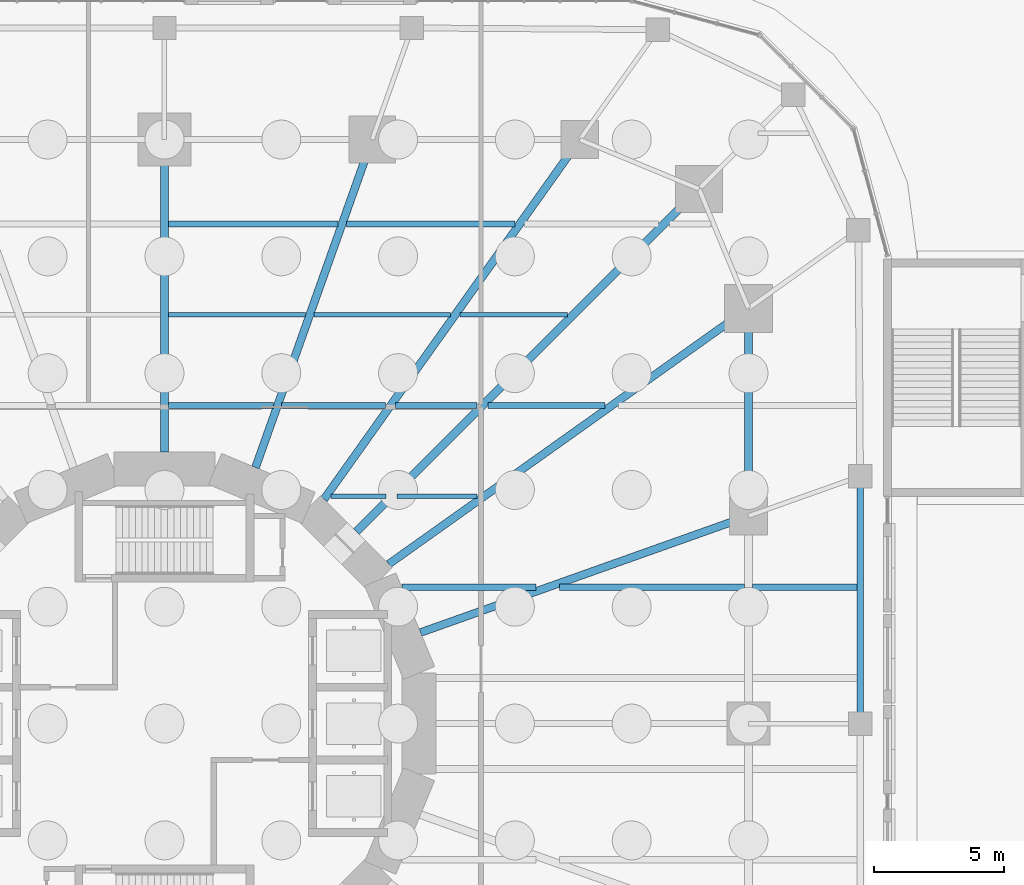
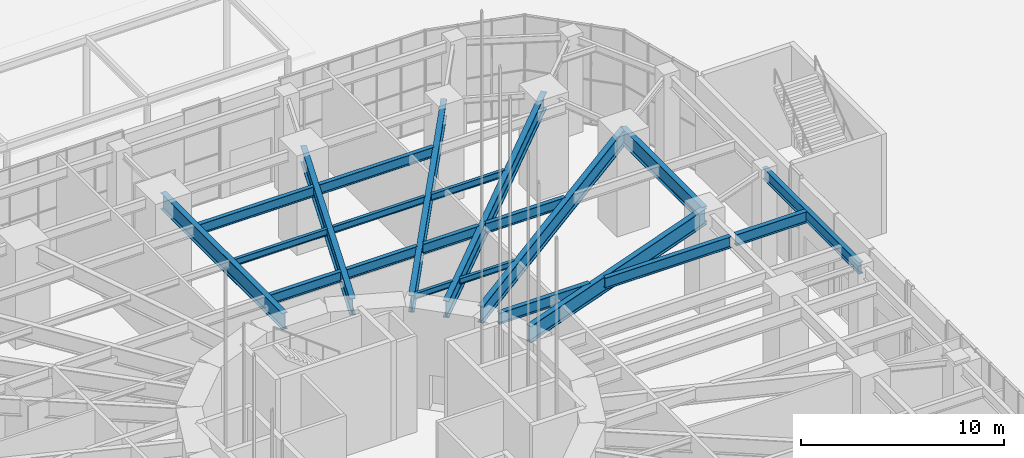
# One storey, part 15 of 43: 22 beams.
"""IFC4 building model written with IfcOpenShell, lengths in metres."""

from ifc_helpers import new_model, si_unit, direction, frame, origin, origin_2d, place, context, subcontext, project, spatial, i_section, extrude, material, material_profile, profile_set, type_object, element, save


model = new_model("IFC4")

# Units and contexts
model_context = context("Model", 3, precision=1e-05, world=origin(), true_north=direction((0.0, 1.0)))
body_context = subcontext(model_context, "Body", "Model", "MODEL_VIEW")
ifc_project = project(units=[si_unit("LENGTHUNIT", "METRE"), si_unit("AREAUNIT", "SQUARE_METRE"), si_unit("VOLUMEUNIT", "CUBIC_METRE"), si_unit("PLANEANGLEUNIT", "RADIAN"), si_unit("MASSUNIT", "GRAM", prefix="KILO")], contexts=[model_context])

# Site, building, storey
site_placement = place(None, origin())
site = spatial("IfcSite", under=ifc_project, at=site_placement, CompositionType="ELEMENT")
building_placement = place(site_placement, origin())
building = spatial("IfcBuilding", under=site, at=building_placement, Name="Nakasero Lantern House", CompositionType="ELEMENT")
storey_placement = place(building_placement, origin())
storey = spatial("IfcBuildingStorey", under=building, at=storey_placement, Name="L00", CompositionType="ELEMENT", Elevation=0.0)

# Beams
ifc_material_1 = material(Name="Steel S355", Category="steel")
ifc_material_profile_1 = material_profile(ifc_material_1, i_section(OverallWidth=0.17138671875, OverallDepth=0.35498046875, WebThickness=0.00732421875, FlangeThickness=0.011474609375, FilletRadius=0.01025390625, at=origin_2d()), Name="UB 356x171x51")
ifc_profile_set_1 = profile_set([ifc_material_profile_1], Name="Steel S355")
beam_type_1 = type_object("IfcBeamType", Name="Infill beam UB 356x171x51", PredefinedType="JOIST", material=ifc_profile_set_1)
beam_1_placement = place(storey_placement, frame((6.40966796875, 8.75, 5.62255859375), z_axis=(1.0, 0.0, 0.0), x_axis=(0.0, 1.0, 0.0)))
element("IfcBeam", 1, at=beam_1_placement, inside=storey, type_object=beam_type_1, Name="Infill beam L01 11.3", PredefinedType="JOIST", context=body_context, shape_type="SweptSolid", body=[
    extrude(i_section(OverallWidth=0.17138671875, OverallDepth=0.35498046875, WebThickness=0.00732421875, FlangeThickness=0.011474609375, FilletRadius=0.01025390625, at=origin_2d()), origin(), (0.0, 0.0, 1.0), 2.124267578125),
])
beam_2_placement = place(storey_placement, frame((8.966064453125, 8.75, 5.62255859375), z_axis=(1.0, 0.0, 0.0), x_axis=(0.0, 1.0, 0.0)))
element("IfcBeam", 2, at=beam_2_placement, inside=storey, type_object=beam_type_1, Name="Infill beam L01 11.4", PredefinedType="JOIST", context=body_context, shape_type="SweptSolid", body=[
    extrude(i_section(OverallWidth=0.17138671875, OverallDepth=0.35498046875, WebThickness=0.00732421875, FlangeThickness=0.011474609375, FilletRadius=0.01025390625, at=origin_2d()), origin(), (0.0, 0.0, 1.0), 3.0771484375),
])
ifc_material_2 = material(Name="Steel S355", Category="steel")
ifc_material_profile_2 = material_profile(ifc_material_2, i_section(OverallWidth=0.177978515625, OverallDepth=0.406494140625, WebThickness=0.0078125, FlangeThickness=0.0126953125, FilletRadius=0.01025390625, at=origin_2d()), Name="UB 406x178x60")
ifc_profile_set_2 = profile_set([ifc_material_profile_2], Name="Steel S355")
beam_type_2 = type_object("IfcBeamType", Name="Infill beam UB 406x178x60", PredefinedType="JOIST", material=ifc_profile_set_2)
beam_3_placement = place(storey_placement, frame((0.14990234375, 15.75, 5.5966796875), z_axis=(1.0, 0.0, 0.0), x_axis=(0.0, 1.0, 0.0)))
element("IfcBeam", 3, at=beam_3_placement, inside=storey, type_object=beam_type_2, Name="Infill beam L01 13.4", PredefinedType="JOIST", context=body_context, shape_type="SweptSolid", body=[
    extrude(i_section(OverallWidth=0.177978515625, OverallDepth=0.406494140625, WebThickness=0.0078125, FlangeThickness=0.0126953125, FilletRadius=0.01025390625, at=origin_2d()), origin(), (0.0, 0.0, 1.0), 5.289794921875),
])
beam_4_placement = place(storey_placement, frame((5.76025390625, 15.75, 5.5966796875), z_axis=(1.0, 0.0, 0.0), x_axis=(0.0, 1.0, 0.0)))
element("IfcBeam", 4, at=beam_4_placement, inside=storey, type_object=beam_type_2, Name="Infill beam L01 13.5", PredefinedType="JOIST", context=body_context, shape_type="SweptSolid", body=[
    extrude(i_section(OverallWidth=0.177978515625, OverallDepth=0.406494140625, WebThickness=0.0078125, FlangeThickness=0.0126953125, FilletRadius=0.01025390625, at=origin_2d()), origin(), (0.0, 0.0, 1.0), 5.25244140625),
])
beam_5_placement = place(storey_placement, frame((11.387451171875, 15.75, 5.5966796875), z_axis=(1.0, 0.0, 0.0), x_axis=(0.0, 1.0, 0.0)))
element("IfcBeam", 5, at=beam_5_placement, inside=storey, type_object=beam_type_2, Name="Infill beam L01 13.6", PredefinedType="JOIST", context=body_context, shape_type="SweptSolid", body=[
    extrude(i_section(OverallWidth=0.177978515625, OverallDepth=0.406494140625, WebThickness=0.0078125, FlangeThickness=0.0126953125, FilletRadius=0.01025390625, at=origin_2d()), origin(), (0.0, 0.0, 1.0), 4.146484375),
])
ifc_material_3 = material(Name="Steel S355", Category="steel")
ifc_material_profile_3 = material_profile(ifc_material_3, i_section(OverallWidth=0.22900390625, OverallDepth=0.6123046875, WebThickness=0.011962890625, FlangeThickness=0.01953125, FilletRadius=0.0126953125, at=origin_2d()), Name="UB 610x229x125")
ifc_profile_set_3 = profile_set([ifc_material_profile_3], Name="Steel S355")
beam_type_3 = type_object("IfcBeamType", Name="Infill beam UB 610x229x125", PredefinedType="JOIST", material=ifc_profile_set_3)
beam_6_placement = place(storey_placement, frame((0.14990234375, 12.25, 5.493896484375), z_axis=(1.0, 0.0, 0.0), x_axis=(0.0, 1.0, 0.0)))
element("IfcBeam", 6, at=beam_6_placement, inside=storey, type_object=beam_type_3, Name="Infill beam L01 12.7", PredefinedType="JOIST", context=body_context, shape_type="SweptSolid", body=[
    extrude(i_section(OverallWidth=0.22900390625, OverallDepth=0.6123046875, WebThickness=0.011962890625, FlangeThickness=0.01953125, FilletRadius=0.0126953125, at=origin_2d()), origin(), (0.0, 0.0, 1.0), 4.04541015625),
])
beam_7_placement = place(storey_placement, frame((4.515869140625, 12.25, 5.493896484375), z_axis=(1.0, 0.0, 0.0), x_axis=(0.0, 1.0, 0.0)))
element("IfcBeam", 7, at=beam_7_placement, inside=storey, type_object=beam_type_3, Name="Infill beam L01 12.8", PredefinedType="JOIST", context=body_context, shape_type="SweptSolid", body=[
    extrude(i_section(OverallWidth=0.22900390625, OverallDepth=0.6123046875, WebThickness=0.011962890625, FlangeThickness=0.01953125, FilletRadius=0.0126953125, at=origin_2d()), origin(), (0.0, 0.0, 1.0), 4.0078125),
])
beam_8_placement = place(storey_placement, frame((8.8984375, 12.25, 5.493896484375), z_axis=(1.0, 0.0, 0.0), x_axis=(0.0, 1.0, 0.0)))
element("IfcBeam", 8, at=beam_8_placement, inside=storey, type_object=beam_type_3, Name="Infill beam L01 12.9", PredefinedType="JOIST", context=body_context, shape_type="SweptSolid", body=[
    extrude(i_section(OverallWidth=0.22900390625, OverallDepth=0.6123046875, WebThickness=0.011962890625, FlangeThickness=0.01953125, FilletRadius=0.0126953125, at=origin_2d()), origin(), (0.0, 0.0, 1.0), 3.135498046875),
])
beam_9_placement = place(storey_placement, frame((12.466064453125, 12.25, 5.493896484375), z_axis=(1.0, 0.0, 0.0), x_axis=(0.0, 1.0, 0.0)))
element("IfcBeam", 9, at=beam_9_placement, inside=storey, type_object=beam_type_3, Name="Infill beam L01 12.10", PredefinedType="JOIST", context=body_context, shape_type="SweptSolid", body=[
    extrude(i_section(OverallWidth=0.22900390625, OverallDepth=0.6123046875, WebThickness=0.011962890625, FlangeThickness=0.01953125, FilletRadius=0.0126953125, at=origin_2d()), origin(), (0.0, 0.0, 1.0), 4.4990234375),
])
beam_10_placement = place(storey_placement, frame((0.14990234375, 19.25, 5.493896484375), z_axis=(1.0, 0.0, 0.0), x_axis=(0.0, 1.0, 0.0)))
element("IfcBeam", 10, at=beam_10_placement, inside=storey, type_object=beam_type_3, Name="Infill beam L01 14.5", PredefinedType="JOIST", context=body_context, shape_type="SweptSolid", body=[
    extrude(i_section(OverallWidth=0.22900390625, OverallDepth=0.6123046875, WebThickness=0.011962890625, FlangeThickness=0.01953125, FilletRadius=0.0126953125, at=origin_2d()), origin(), (0.0, 0.0, 1.0), 6.5341796875),
])
beam_11_placement = place(storey_placement, frame((7.004638671875, 19.25, 5.493896484375), z_axis=(1.0, 0.0, 0.0), x_axis=(0.0, 1.0, 0.0)))
element("IfcBeam", 11, at=beam_11_placement, inside=storey, type_object=beam_type_3, Name="Infill beam L01 14.6", PredefinedType="JOIST", context=body_context, shape_type="SweptSolid", body=[
    extrude(i_section(OverallWidth=0.22900390625, OverallDepth=0.6123046875, WebThickness=0.011962890625, FlangeThickness=0.01953125, FilletRadius=0.0126953125, at=origin_2d()), origin(), (0.0, 0.0, 1.0), 6.496826171875),
])
ifc_material_4 = material(Name="Steel S355", Category="steel")
ifc_material_profile_4 = material_profile(ifc_material_4, i_section(OverallWidth=0.253662109375, OverallDepth=0.68359375, WebThickness=0.012451171875, FlangeThickness=0.01904296875, FilletRadius=0.01513671875, at=origin_2d()), Name="UB 686x254x140")
ifc_profile_set_4 = profile_set([ifc_material_profile_4], Name="Steel S355")
beam_type_4 = type_object("IfcBeamType", Name="Infill beam UB 686x254x140", PredefinedType="JOIST", material=ifc_profile_set_4)
beam_12_placement = place(storey_placement, frame((9.144775390625, 5.25, 5.458251953125), z_axis=(1.0, 0.0, 0.0), x_axis=(0.0, 1.0, 0.0)))
element("IfcBeam", 12, at=beam_12_placement, inside=storey, type_object=beam_type_4, Name="Infill beam L01 10.4", PredefinedType="JOIST", context=body_context, shape_type="SweptSolid", body=[
    extrude(i_section(OverallWidth=0.253662109375, OverallDepth=0.68359375, WebThickness=0.012451171875, FlangeThickness=0.01904296875, FilletRadius=0.01513671875, at=origin_2d()), origin(), (0.0, 0.0, 1.0), 5.173095703125),
])
beam_13_placement = place(storey_placement, frame((15.21337890625, 5.25, 5.458251953125), z_axis=(1.0, 0.0, 0.0), x_axis=(0.0, 1.0, 0.0)))
element("IfcBeam", 13, at=beam_13_placement, inside=storey, type_object=beam_type_4, Name="Infill beam L01 10.5", PredefinedType="JOIST", context=body_context, shape_type="SweptSolid", body=[
    extrude(i_section(OverallWidth=0.253662109375, OverallDepth=0.68359375, WebThickness=0.012451171875, FlangeThickness=0.01904296875, FilletRadius=0.01513671875, at=origin_2d()), origin(), (0.0, 0.0, 1.0), 7.140380859375),
])
beam_14_placement = place(storey_placement, frame((22.646240234375, 5.25, 5.458251953125), z_axis=(1.0, 0.0, 0.0), x_axis=(0.0, 1.0, 0.0)))
element("IfcBeam", 14, at=beam_14_placement, inside=storey, type_object=beam_type_4, Name="Infill beam L01 10.6", PredefinedType="JOIST", context=body_context, shape_type="SweptSolid", body=[
    extrude(i_section(OverallWidth=0.253662109375, OverallDepth=0.68359375, WebThickness=0.012451171875, FlangeThickness=0.01904296875, FilletRadius=0.01513671875, at=origin_2d()), origin(), (0.0, 0.0, 1.0), 4.02587890625),
])
ifc_material_5 = material(Name="Steel S355", Category="steel")
ifc_material_profile_5 = material_profile(ifc_material_5, i_section(OverallWidth=0.300048828125, OverallDepth=0.989990234375, WebThickness=0.0166015625, FlangeThickness=0.031005859375, FilletRadius=0.030029296875, at=origin_2d()), Name="UB 1016x305x272")
ifc_profile_set_5 = profile_set([ifc_material_profile_5], Name="Steel S355")
beam_type_5 = type_object("IfcBeamType", Name="Primary beam UB 1016x305x272, span 12 to 15 m", PredefinedType="BEAM", material=ifc_profile_set_5)
beam_15_placement = place(storey_placement, frame((22.5, 8.0, 5.304931640625), z_axis=(-0.942214307118, -0.335010745293, 0.0), x_axis=(0.335010745293, -0.942214307118, 0.0)))
element("IfcBeam", 15, at=beam_15_placement, inside=storey, type_object=beam_type_5, Name="Primary beam L01 B1-C04", PredefinedType="BEAM", context=body_context, shape_type="SweptSolid", body=[
    extrude(i_section(OverallWidth=0.300048828125, OverallDepth=0.989990234375, WebThickness=0.0166015625, FlangeThickness=0.031005859375, FilletRadius=0.030029296875, at=origin_2d()), origin(), (0.0, 0.0, 1.0), 13.408447265625),
])
ifc_material_6 = material(Name="Steel S355", Category="steel")
ifc_material_profile_6 = material_profile(ifc_material_6, i_section(OverallWidth=0.300048828125, OverallDepth=1.0, WebThickness=0.01904296875, FlangeThickness=0.035888671875, FilletRadius=0.030029296875, at=origin_2d()), Name="UB 1016x305x314")
ifc_profile_set_6 = profile_set([ifc_material_profile_6], Name="Steel S355")
beam_type_6 = type_object("IfcBeamType", Name="Primary beam UB 1016x305x314, span 12 to 15 m", PredefinedType="BEAM", material=ifc_profile_set_6)
beam_16_placement = place(storey_placement, frame((0.0, 22.5, 5.300048828125), z_axis=(0.0, -1.0, 0.0), x_axis=(1.0, 0.0, 0.0)))
element("IfcBeam", 16, at=beam_16_placement, inside=storey, type_object=beam_type_6, Name="Primary beam L01 B1-C09", PredefinedType="BEAM", context=body_context, shape_type="SweptSolid", body=[
    extrude(i_section(OverallWidth=0.300048828125, OverallDepth=1.0, WebThickness=0.01904296875, FlangeThickness=0.035888671875, FilletRadius=0.030029296875, at=origin_2d()), origin(), (0.0, 0.0, 1.0), 12.042236328125),
])
ifc_material_7 = material(Name="Steel S355", Category="steel")
ifc_material_profile_7 = material_profile(ifc_material_7, i_section(OverallWidth=0.302001953125, OverallDepth=1.008056640625, WebThickness=0.02099609375, FlangeThickness=0.0400390625, FilletRadius=0.030029296875, at=origin_2d()), Name="UB 1016x305x349")
ifc_profile_set_7 = profile_set([ifc_material_profile_7], Name="Steel S355")
beam_type_7 = type_object("IfcBeamType", Name="Primary beam UB 1016x305x349, span 12 to 15 m", PredefinedType="BEAM", material=ifc_profile_set_7)
beam_17_placement = place(storey_placement, frame((8.0, 22.5, 5.2958984375), z_axis=(-0.335010745293, -0.942214307118, 0.0), x_axis=(0.942214307118, -0.335010745293, 0.0)))
element("IfcBeam", 17, at=beam_17_placement, inside=storey, type_object=beam_type_7, Name="Primary beam L01 B1-C08", PredefinedType="BEAM", context=body_context, shape_type="SweptSolid", body=[
    extrude(i_section(OverallWidth=0.302001953125, OverallDepth=1.008056640625, WebThickness=0.02099609375, FlangeThickness=0.0400390625, FilletRadius=0.030029296875, at=origin_2d()), origin(), (0.0, 0.0, 1.0), 13.408447265625),
])
ifc_material_8 = material(Name="Steel S355", Category="steel")
ifc_material_profile_8 = material_profile(ifc_material_8, i_section(OverallWidth=0.302978515625, OverallDepth=1.015869140625, WebThickness=0.0244140625, FlangeThickness=0.0439453125, FilletRadius=0.030029296875, at=origin_2d()), Name="UB 1016x305x393")
ifc_profile_set_8 = profile_set([ifc_material_profile_8], Name="Steel S355")
beam_type_8 = type_object("IfcBeamType", Name="Primary beam UB 1016x305x393, span over 15 m", PredefinedType="BEAM", material=ifc_profile_set_8)
beam_18_placement = place(storey_placement, frame((22.5, 16.0, 5.2919921875), z_axis=(-0.814952159915, -0.579528236629, 0.0), x_axis=(0.579528236629, -0.814952159915, 0.0)))
element("IfcBeam", 18, at=beam_18_placement, inside=storey, type_object=beam_type_8, Name="Primary beam L01 B1-C05", PredefinedType="BEAM", context=body_context, shape_type="SweptSolid", body=[
    extrude(i_section(OverallWidth=0.302978515625, OverallDepth=1.015869140625, WebThickness=0.0244140625, FlangeThickness=0.0439453125, FilletRadius=0.030029296875, at=origin_2d()), origin(), (0.0, 0.0, 1.0), 17.003173828125),
])
ifc_material_9 = material(Name="Steel S355", Category="steel")
ifc_material_profile_9 = material_profile(ifc_material_9, i_section(OverallWidth=0.305419921875, OverallDepth=1.026123046875, WebThickness=0.02685546875, FlangeThickness=0.049072265625, FilletRadius=0.030029296875, at=origin_2d()), Name="UB 1016x305x437")
ifc_profile_set_9 = profile_set([ifc_material_profile_9], Name="Steel S355")
beam_type_9 = type_object("IfcBeamType", Name="Primary beam UB 1016x305x437, span over 15 m", PredefinedType="BEAM", material=ifc_profile_set_9)
beam_19_placement = place(storey_placement, frame((20.59619140625, 20.59619140625, 5.286865234375), z_axis=(-0.707106781187, -0.707106781187, 0.0), x_axis=(0.707106781187, -0.707106781187, 0.0)))
element("IfcBeam", 19, at=beam_19_placement, inside=storey, type_object=beam_type_9, Name="Primary beam L01 B1-C06", PredefinedType="BEAM", context=body_context, shape_type="SweptSolid", body=[
    extrude(i_section(OverallWidth=0.305419921875, OverallDepth=1.026123046875, WebThickness=0.02685546875, FlangeThickness=0.049072265625, FilletRadius=0.030029296875, at=origin_2d()), origin(), (0.0, 0.0, 1.0), 18.669677734375),
])
beam_20_placement = place(storey_placement, frame((16.0, 22.5, 5.286865234375), z_axis=(-0.579528236629, -0.814952159915, 0.0), x_axis=(0.814952159915, -0.579528236629, 0.0)))
element("IfcBeam", 20, at=beam_20_placement, inside=storey, type_object=beam_type_9, Name="Primary beam L01 B1-C07", PredefinedType="BEAM", context=body_context, shape_type="SweptSolid", body=[
    extrude(i_section(OverallWidth=0.305419921875, OverallDepth=1.026123046875, WebThickness=0.02685546875, FlangeThickness=0.049072265625, FilletRadius=0.030029296875, at=origin_2d()), origin(), (0.0, 0.0, 1.0), 17.003173828125),
])
ifc_material_10 = material(Name="Steel S355", Category="steel")
ifc_material_profile_10 = material_profile(ifc_material_10, i_section(OverallWidth=0.300048828125, OverallDepth=0.97021484375, WebThickness=0.01611328125, FlangeThickness=0.02099609375, FilletRadius=0.030029296875, at=origin_2d()), Name="UB 1016x305x222")
ifc_profile_set_10 = profile_set([ifc_material_profile_10], Name="Steel S355")
beam_type_10 = type_object("IfcBeamType", Name="Ring beam UB 1016x305x222", PredefinedType="BEAM", material=ifc_profile_set_10)
beam_21_placement = place(storey_placement, frame((22.5, 8.0, 5.31494140625), z_axis=(0.0, 1.0, 0.0), x_axis=(-1.0, 0.0, 0.0)))
element("IfcBeam", 21, at=beam_21_placement, inside=storey, type_object=beam_type_10, Name="Ring beam L01 B1-C04", PredefinedType="BEAM", context=body_context, shape_type="SweptSolid", body=[
    extrude(i_section(OverallWidth=0.300048828125, OverallDepth=0.97021484375, WebThickness=0.01611328125, FlangeThickness=0.02099609375, FilletRadius=0.030029296875, at=origin_2d()), origin(), (0.0, 0.0, 1.0), 8.0),
])
ifc_material_11 = material(Name="Steel S355", Category="steel")
ifc_material_profile_11 = material_profile(ifc_material_11, i_section(OverallWidth=0.255859375, OverallDepth=0.69287109375, WebThickness=0.014404296875, FlangeThickness=0.023681640625, FilletRadius=0.01513671875, at=origin_2d()), Name="UB 686x254x170")
ifc_profile_set_11 = profile_set([ifc_material_profile_11], Name="Steel S355")
beam_type_11 = type_object("IfcBeamType", Name="Ring beam UB 686x254x170", PredefinedType="BEAM", material=ifc_profile_set_11)
beam_22_placement = place(storey_placement, frame((26.800048828125, 0.0, 5.45361328125), z_axis=(0.0, 1.0, 0.0), x_axis=(-1.0, 0.0, 0.0)))
element("IfcBeam", 22, at=beam_22_placement, inside=storey, type_object=beam_type_11, Name="Ring beam L01 POD-C03", PredefinedType="BEAM", context=body_context, shape_type="SweptSolid", body=[
    extrude(i_section(OverallWidth=0.255859375, OverallDepth=0.69287109375, WebThickness=0.014404296875, FlangeThickness=0.023681640625, FilletRadius=0.01513671875, at=origin_2d()), origin(), (0.0, 0.0, 1.0), 9.52880859375),
])

save(model, "model.ifc")
